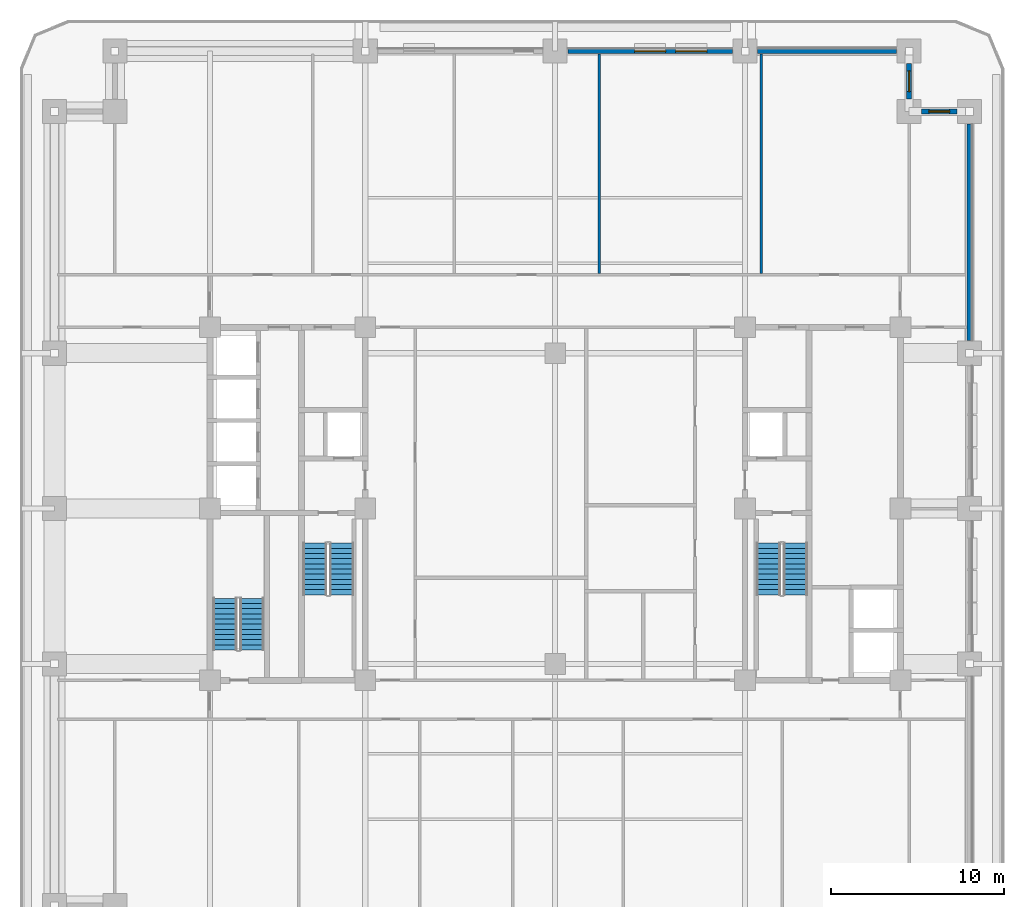
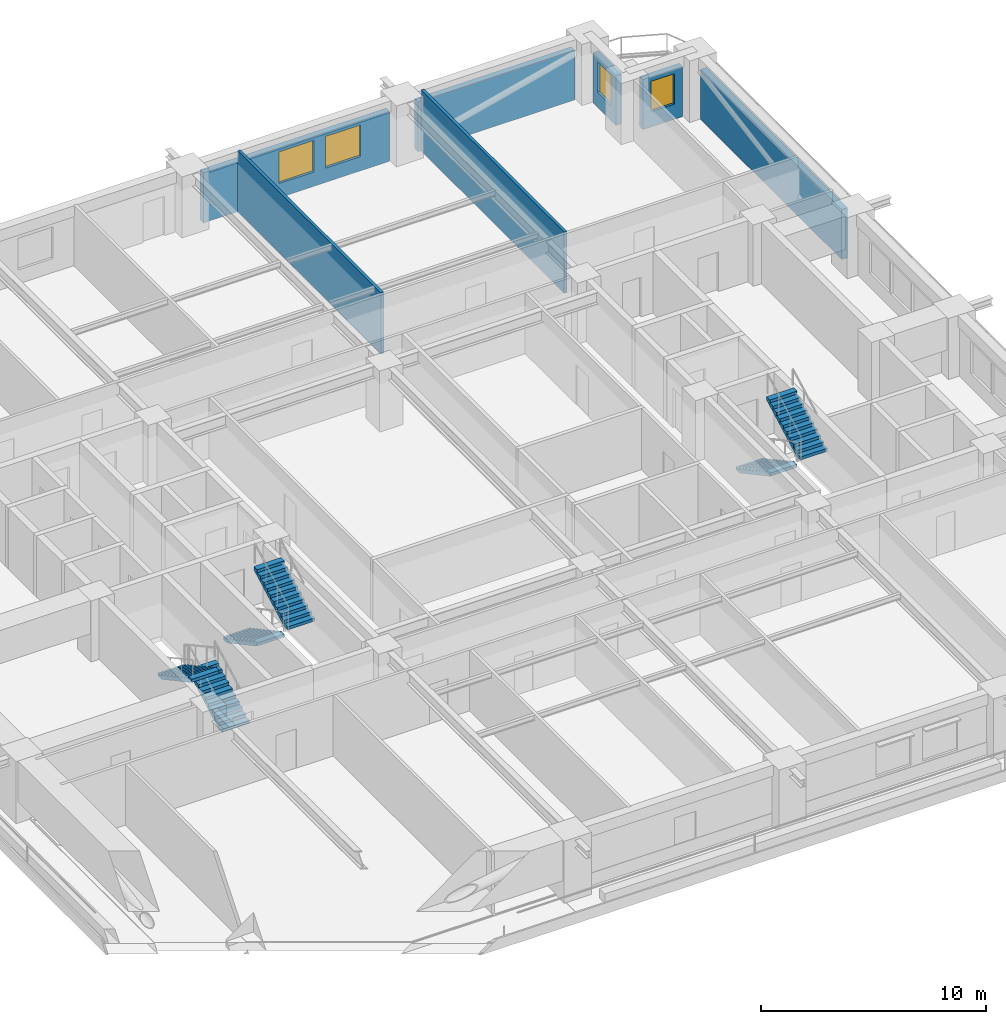
# One storey, part 6 of 14: 7 walls, 6 stair flights, 4 windows, 4 openings, 3 elements without a shape of their own.
"""IFC4 building model written with IfcOpenShell, lengths in metres."""

from ifc_helpers import new_model, si_unit, direction, frame, frame_2d, origin, place, context, subcontext, project, spatial, polyline, rectangle, outline, extrude, material, layer, layer_set, type_object, element, fill, aggregate, save


model = new_model("IFC4")

# Units and contexts
model_context = context("Model", 3, precision=1e-05, world=origin(), true_north=direction((0.0, 1.0)))
body_context = subcontext(model_context, "Body", "Model", "MODEL_VIEW")
ifc_project = project(units=[si_unit("LENGTHUNIT", "METRE"), si_unit("AREAUNIT", "SQUARE_METRE"), si_unit("VOLUMEUNIT", "CUBIC_METRE"), si_unit("PLANEANGLEUNIT", "RADIAN"), si_unit("MASSUNIT", "GRAM", prefix="KILO")], contexts=[model_context])

# Site, building, storey
site_placement = place(None, origin())
site = spatial("IfcSite", under=ifc_project, at=site_placement, CompositionType="ELEMENT")
building_placement = place(site_placement, origin())
building = spatial("IfcBuilding", under=site, at=building_placement, Name="Zulmaris Gate Convention Tower", CompositionType="ELEMENT")
storey_placement = place(building_placement, frame((0.0, 0.0, 60.760009765625)))
storey = spatial("IfcBuildingStorey", under=building, at=storey_placement, Name="L14", CompositionType="ELEMENT", Elevation=60.760009765625)

# Walls
ifc_material_1 = material(Name="Gypsum Metal Stud Partition")
ifc_layer_1 = layer(ifc_material_1, 0.14990234375, Name="Gypsum Metal Stud Partition")
ifc_layer_set_1 = layer_set([ifc_layer_1], Name="Gypsum Metal Stud Partition")
wall_type_1 = type_object("IfcWallType", Name="PART-150", PredefinedType="PARTITIONING", material=ifc_layer_set_1)
for number, where, z_axis, x_axis, name in (
    (1, (2.550048828125, 13.6279296875, 0.0), (0.0, 0.0, 1.0), (0.0, 1.0, 0.0), "WL-L14-083"),
    (2, (11.949951171875, 13.6279296875, 0.0), (0.0, 0.0, 1.0), (0.0, 1.0, 0.0), "WL-L14-089"),
):
    element("IfcWall", number, at=place(storey_placement, frame(where, z_axis=z_axis, x_axis=x_axis)), inside=storey, type_object=wall_type_1, Name=name, PredefinedType="PARTITIONING", context=body_context, shape_type="SweptSolid", body=[
        extrude(rectangle(XDim=12.70703125, YDim=0.14990234375, at=frame_2d((6.353515625, 0.0))), origin(), (0.0, 0.0, 1.0), 3.31982421875),
    ])

# Wall, opening, window
ifc_material_2 = material(Name="Precast concrete C40/50", Category="concrete")
ifc_layer_2 = layer(ifc_material_2, 0.300048828125, Name="Precast concrete C40/50")
ifc_layer_set_2 = layer_set([ifc_layer_2], Name="Precast concrete C40/50")
wall_type_2 = type_object("IfcWallType", Name="PRECAST-PIER-300", PredefinedType="STANDARD", material=ifc_layer_set_2)
wall_1_placement = place(storey_placement, frame((23.27001953125, 23.0, 0.0), z_axis=(0.0, 0.0, 1.0), x_axis=(-1.0, 0.0, 0.0)))
wall_1 = element("IfcWall", 3, at=wall_1_placement, inside=storey, type_object=wall_type_2, Name="EW-L14-NOTCH-NE1_0", PredefinedType="STANDARD", context=body_context, shape_type="SweptSolid", body=[
    extrude(rectangle(XDim=2.0400390625, YDim=0.300048828125, at=frame_2d((1.02001953125, 0.0))), origin(), (0.0, 0.0, 1.0), 2.711669921875),
])
opening_1_placement = place(wall_1_placement, frame((0.419921875, 0.0, 0.820068359375)))
opening_1 = element("IfcOpeningElement", 4, at=opening_1_placement, cuts=wall_1, Name="Opening W-04", PredefinedType="OPENING", context=body_context, shape_type="SweptSolid", body=[
    extrude(rectangle(XDim=1.199951171875, YDim=1.64990234375, at=frame_2d((0.60009765625, 0.824951171875))), frame((0.0, 0.16015625, 0.0), z_axis=(0.0, -1.0, 0.0), x_axis=(1.0, 0.0, 0.0)), (0.0, 0.0, 1.0), 0.320068359375),
])
ifc_material_3 = material(Name="Low-E Laminated Double Glazing in Aluminium Frame", Category="aluminium")
window_type_1 = type_object("IfcWindowType", Name="WIN-1200x2100", PartitioningType="SINGLE_PANEL", PredefinedType="WINDOW", material=ifc_material_3)
window_1_placement = place(opening_1_placement, origin())
window_1 = element("IfcWindow", 5, at=window_1_placement, inside=storey, type_object=window_type_1, Name="WN-EW-L14-NOTCH-NE1_0", OverallHeight=1.64990234375, OverallWidth=1.199951171875, PartitioningType="SINGLE_PANEL", PredefinedType="WINDOW", context=body_context, shape_type="SweptSolid", body=[
    extrude(rectangle(XDim=1.199951171875, YDim=1.64990234375, at=frame_2d((0.60009765625, 0.824951171875))), frame((0.0, 0.030029296875, 0.0), z_axis=(0.0, -1.0, 0.0), x_axis=(1.0, 0.0, 0.0)), (0.0, 0.0, 1.0), 0.06005859375),
])
fill(opening_1, window_1)

wall_2_placement = place(storey_placement, frame((20.5, 23.72998046875, 0.0), z_axis=(0.0, 0.0, 1.0), x_axis=(0.0, 1.0, 0.0)))
wall_2 = element("IfcWall", 6, at=wall_2_placement, inside=storey, type_object=wall_type_2, Name="EW-L14-NOTCH-NE2_0", PredefinedType="STANDARD", context=body_context, shape_type="SweptSolid", body=[
    extrude(rectangle(XDim=2.0400390625, YDim=0.300048828125, at=frame_2d((1.02001953125, 0.0))), origin(), (0.0, 0.0, 1.0), 2.711669921875),
])
opening_2_placement = place(wall_2_placement, frame((0.419921875, 0.0, 0.820068359375)))
opening_2 = element("IfcOpeningElement", 7, at=opening_2_placement, cuts=wall_2, Name="Opening W-04", PredefinedType="OPENING", context=body_context, shape_type="SweptSolid", body=[
    extrude(rectangle(XDim=1.199951171875, YDim=1.64990234375, at=frame_2d((0.60009765625, 0.824951171875))), frame((0.0, 0.16015625, 0.0), z_axis=(0.0, -1.0, 0.0), x_axis=(1.0, 0.0, 0.0)), (0.0, 0.0, 1.0), 0.320068359375),
])
window_2_placement = place(opening_2_placement, origin())
window_2 = element("IfcWindow", 8, at=window_2_placement, inside=storey, type_object=window_type_1, Name="WN-EW-L14-NOTCH-NE2_0", OverallHeight=1.64990234375, OverallWidth=1.199951171875, PartitioningType="SINGLE_PANEL", PredefinedType="WINDOW", context=body_context, shape_type="SweptSolid", body=[
    extrude(rectangle(XDim=1.199951171875, YDim=1.64990234375, at=frame_2d((0.60009765625, 0.824951171875))), frame((0.0, 0.030029296875, 0.0), z_axis=(0.0, -1.0, 0.0), x_axis=(1.0, 0.0, 0.0)), (0.0, 0.0, 1.0), 0.06005859375),
])
fill(opening_2, window_2)

# Wall, openings, windows
wall_3_placement = place(storey_placement, frame((10.27001953125, 26.5, 0.0), z_axis=(0.0, 0.0, 1.0), x_axis=(-1.0, 0.0, 0.0)))
wall_3 = element("IfcWall", 9, at=wall_3_placement, inside=storey, type_object=wall_type_2, Name="EW-L14-N-2_0", PredefinedType="STANDARD", context=body_context, shape_type="SweptSolid", body=[
    extrude(rectangle(XDim=9.5400390625, YDim=0.300048828125, at=frame_2d((4.77001953125, 0.0))), origin(), (0.0, 0.0, 1.0), 2.711669921875),
])
opening_3_placement = place(wall_3_placement, frame((1.485107421875, 0.0, 0.780029296875)))
opening_3 = element("IfcOpeningElement", 10, at=opening_3_placement, cuts=wall_3, Name="Opening W-02", PredefinedType="OPENING", context=body_context, shape_type="SweptSolid", body=[
    extrude(rectangle(XDim=1.800048828125, YDim=1.719970703125, at=frame_2d((0.89990234375, 0.85986328125))), frame((0.0, 0.16015625, 0.0), z_axis=(0.0, -1.0, 0.0), x_axis=(1.0, 0.0, 0.0)), (0.0, 0.0, 1.0), 0.320068359375),
])
opening_4_placement = place(wall_3_placement, frame((3.8701171875, 0.0, 0.780029296875)))
opening_4 = element("IfcOpeningElement", 11, at=opening_4_placement, cuts=wall_3, Name="Opening W-02", PredefinedType="OPENING", context=body_context, shape_type="SweptSolid", body=[
    extrude(rectangle(XDim=1.800048828125, YDim=1.719970703125, at=frame_2d((0.89990234375, 0.85986328125))), frame((0.0, 0.16015625, 0.0), z_axis=(0.0, -1.0, 0.0), x_axis=(1.0, 0.0, 0.0)), (0.0, 0.0, 1.0), 0.320068359375),
])
window_type_2 = type_object("IfcWindowType", Name="WIN-1800x2200", PartitioningType="SINGLE_PANEL", PredefinedType="WINDOW", material=ifc_material_3)
window_3_placement = place(opening_3_placement, origin())
window_3 = element("IfcWindow", 12, at=window_3_placement, inside=storey, type_object=window_type_2, Name="WN-EW-L14-N-2_0-1", OverallHeight=1.719970703125, OverallWidth=1.800048828125, PartitioningType="SINGLE_PANEL", PredefinedType="WINDOW", context=body_context, shape_type="SweptSolid", body=[
    extrude(rectangle(XDim=1.800048828125, YDim=1.719970703125, at=frame_2d((0.89990234375, 0.85986328125))), frame((0.0, 0.030029296875, 0.0), z_axis=(0.0, -1.0, 0.0), x_axis=(1.0, 0.0, 0.0)), (0.0, 0.0, 1.0), 0.06005859375),
])
fill(opening_3, window_3)
window_4_placement = place(opening_4_placement, origin())
window_4 = element("IfcWindow", 13, at=window_4_placement, inside=storey, type_object=window_type_2, Name="WN-EW-L14-N-2_0-2", OverallHeight=1.719970703125, OverallWidth=1.800048828125, PartitioningType="SINGLE_PANEL", PredefinedType="WINDOW", context=body_context, shape_type="SweptSolid", body=[
    extrude(rectangle(XDim=1.800048828125, YDim=1.719970703125, at=frame_2d((0.89990234375, 0.85986328125))), frame((0.0, 0.030029296875, 0.0), z_axis=(0.0, -1.0, 0.0), x_axis=(1.0, 0.0, 0.0)), (0.0, 0.0, 1.0), 0.06005859375),
])
fill(opening_4, window_4)

# Walls
wall_4_placement = place(storey_placement, frame((19.77001953125, 26.5, 0.0), z_axis=(0.0, 0.0, 1.0), x_axis=(-1.0, 0.0, 0.0)))
element("IfcWall", 14, at=wall_4_placement, inside=storey, type_object=wall_type_2, Name="EW-L14-N-3_0", PredefinedType="STANDARD", context=body_context, shape_type="SweptSolid", body=[
    extrude(rectangle(XDim=8.0400390625, YDim=0.300048828125, at=frame_2d((4.02001953125, 0.0))), origin(), (0.0, 0.0, 1.0), 2.711669921875),
])
wall_5_placement = place(storey_placement, frame((24.0, 9.72998046875, 0.0), z_axis=(0.0, 0.0, 1.0), x_axis=(0.0, 1.0, 0.0)))
element("IfcWall", 15, at=wall_5_placement, inside=storey, type_object=wall_type_2, Name="EW-L14-E-3_0", PredefinedType="STANDARD", context=body_context, shape_type="SweptSolid", body=[
    extrude(rectangle(XDim=12.5400390625, YDim=0.300048828125, at=frame_2d((6.27001953125, 0.0))), origin(), (0.0, 0.0, 1.0), 2.711669921875),
])

# Stair, stair flights
ifc_material_4 = material(Name="Concrete C45/55", Category="concrete")
stair_type = type_object("IfcStairType", Name="ST-CORE-DOGLEG", PredefinedType="HALF_TURN_STAIR", material=ifc_material_4)
stair_1_placement = place(storey_placement, origin())
stair_1 = element("IfcStair", 16, at=stair_1_placement, inside=storey, type_object=stair_type, Name="L14 Core Exit Stair ST-1", PredefinedType="HALF_TURN_STAIR")
ifc_layer_3 = layer(ifc_material_4, 0.14990234375, Name="Concrete C45/55")
ifc_layer_set_3 = layer_set([ifc_layer_3], Name="Concrete C45/55")
stair_flight_type = type_object("IfcStairFlightType", Name="STF-RC150", PredefinedType="STRAIGHT", material=ifc_layer_set_3)
stair_flight_1_placement = place(storey_placement, frame((-13.919921875, -2.0, 0.0), z_axis=(0.0, 0.0, 1.0), x_axis=(0.0, -1.0, 0.0)))
stair_flight_1 = element("IfcStairFlight", 17, at=stair_flight_1_placement, type_object=stair_flight_type, Name="ST-1 flight 1", NumberOfRisers=11, NumberOfTreads=10, PredefinedType="STRAIGHT", RiserHeight=0.162263636, TreadLength=0.3, context=body_context, shape_type="SweptSolid", body=[
    extrude(outline(polyline([(0.0, 0.0), (0.0, 0.162353515625), (0.300048828125, 0.162353515625), (0.300048828125, 0.324462890625), (0.60009765625, 0.324462890625), (0.60009765625, 0.48681640625), (0.89990234375, 0.48681640625), (0.89990234375, 0.649169921875), (1.199951171875, 0.649169921875), (1.199951171875, 0.811279296875), (1.5, 0.811279296875), (1.5, 0.9736328125), (1.800048828125, 0.9736328125), (1.800048828125, 1.1357421875), (2.10009765625, 1.1357421875), (2.10009765625, 1.298095703125), (2.39990234375, 1.298095703125), (2.39990234375, 1.46044921875), (2.699951171875, 1.46044921875), (2.699951171875, 1.62255859375), (3.0, 1.62255859375), (3.0, 1.784912109375), (3.0, 1.4521484375), (0.315185546875, 0.0), (0.0, 0.0)])), frame((0.0, 0.699951171875, 0.0), z_axis=(0.0, -1.0, 0.0), x_axis=(1.0, 0.0, 0.0)), (0.0, 0.0, 1.0), 1.39990234375),
])
stair_flight_2_placement = place(storey_placement, frame((-12.360107421875, -5.0, 1.784912109375), z_axis=(0.0, 0.0, 1.0), x_axis=(0.0, 1.0, 0.0)))
stair_flight_2 = element("IfcStairFlight", 18, at=stair_flight_2_placement, type_object=stair_flight_type, Name="ST-1 flight 2", NumberOfRisers=11, NumberOfTreads=10, PredefinedType="STRAIGHT", RiserHeight=0.162263636, TreadLength=0.3, context=body_context, shape_type="SweptSolid", body=[
    extrude(outline(polyline([(0.0, 0.0), (0.0, 0.162353515625), (0.300048828125, 0.162353515625), (0.300048828125, 0.324462890625), (0.60009765625, 0.324462890625), (0.60009765625, 0.48681640625), (0.89990234375, 0.48681640625), (0.89990234375, 0.649169921875), (1.199951171875, 0.649169921875), (1.199951171875, 0.811279296875), (1.5, 0.811279296875), (1.5, 0.9736328125), (1.800048828125, 0.9736328125), (1.800048828125, 1.1357421875), (2.10009765625, 1.1357421875), (2.10009765625, 1.298095703125), (2.39990234375, 1.298095703125), (2.39990234375, 1.46044921875), (2.699951171875, 1.46044921875), (2.699951171875, 1.62255859375), (3.0, 1.62255859375), (3.0, 1.784912109375), (3.0, 1.4521484375), (0.315185546875, 0.0), (0.0, 0.0)])), frame((0.0, 0.699951171875, 0.0), z_axis=(0.0, -1.0, 0.0), x_axis=(1.0, 0.0, 0.0)), (0.0, 0.0, 1.0), 1.39990234375),
])
aggregate(stair_1, [stair_flight_1, stair_flight_2])

stair_2_placement = place(storey_placement, origin())
stair_2 = element("IfcStair", 19, at=stair_2_placement, inside=storey, type_object=stair_type, Name="L14 Core Exit Stair ST-2", PredefinedType="HALF_TURN_STAIR")
stair_flight_3_placement = place(storey_placement, frame((12.360107421875, -2.0, 0.0), z_axis=(0.0, 0.0, 1.0), x_axis=(0.0, -1.0, 0.0)))
stair_flight_3 = element("IfcStairFlight", 20, at=stair_flight_3_placement, type_object=stair_flight_type, Name="ST-2 flight 1", NumberOfRisers=11, NumberOfTreads=10, PredefinedType="STRAIGHT", RiserHeight=0.162263636, TreadLength=0.3, context=body_context, shape_type="SweptSolid", body=[
    extrude(outline(polyline([(0.0, 0.0), (0.0, 0.162353515625), (0.300048828125, 0.162353515625), (0.300048828125, 0.324462890625), (0.60009765625, 0.324462890625), (0.60009765625, 0.48681640625), (0.89990234375, 0.48681640625), (0.89990234375, 0.649169921875), (1.199951171875, 0.649169921875), (1.199951171875, 0.811279296875), (1.5, 0.811279296875), (1.5, 0.9736328125), (1.800048828125, 0.9736328125), (1.800048828125, 1.1357421875), (2.10009765625, 1.1357421875), (2.10009765625, 1.298095703125), (2.39990234375, 1.298095703125), (2.39990234375, 1.46044921875), (2.699951171875, 1.46044921875), (2.699951171875, 1.62255859375), (3.0, 1.62255859375), (3.0, 1.784912109375), (3.0, 1.4521484375), (0.315185546875, 0.0), (0.0, 0.0)])), frame((0.0, 0.699951171875, 0.0), z_axis=(0.0, -1.0, 0.0), x_axis=(1.0, 0.0, 0.0)), (0.0, 0.0, 1.0), 1.39990234375),
])
stair_flight_4_placement = place(storey_placement, frame((13.919921875, -5.0, 1.784912109375), z_axis=(0.0, 0.0, 1.0), x_axis=(0.0, 1.0, 0.0)))
stair_flight_4 = element("IfcStairFlight", 21, at=stair_flight_4_placement, type_object=stair_flight_type, Name="ST-2 flight 2", NumberOfRisers=11, NumberOfTreads=10, PredefinedType="STRAIGHT", RiserHeight=0.162263636, TreadLength=0.3, context=body_context, shape_type="SweptSolid", body=[
    extrude(outline(polyline([(0.0, 0.0), (0.0, 0.162353515625), (0.300048828125, 0.162353515625), (0.300048828125, 0.324462890625), (0.60009765625, 0.324462890625), (0.60009765625, 0.48681640625), (0.89990234375, 0.48681640625), (0.89990234375, 0.649169921875), (1.199951171875, 0.649169921875), (1.199951171875, 0.811279296875), (1.5, 0.811279296875), (1.5, 0.9736328125), (1.800048828125, 0.9736328125), (1.800048828125, 1.1357421875), (2.10009765625, 1.1357421875), (2.10009765625, 1.298095703125), (2.39990234375, 1.298095703125), (2.39990234375, 1.46044921875), (2.699951171875, 1.46044921875), (2.699951171875, 1.62255859375), (3.0, 1.62255859375), (3.0, 1.784912109375), (3.0, 1.4521484375), (0.315185546875, 0.0), (0.0, 0.0)])), frame((0.0, 0.699951171875, 0.0), z_axis=(0.0, -1.0, 0.0), x_axis=(1.0, 0.0, 0.0)), (0.0, 0.0, 1.0), 1.39990234375),
])
aggregate(stair_2, [stair_flight_3, stair_flight_4])

stair_3_placement = place(storey_placement, origin())
stair_3 = element("IfcStair", 22, at=stair_3_placement, inside=storey, type_object=stair_type, Name="L14 Core Exit Stair ST-3", PredefinedType="HALF_TURN_STAIR")
stair_flight_5_placement = place(storey_placement, frame((-17.56005859375, -8.199951171875, 0.0), z_axis=(0.0, 0.0, 1.0), x_axis=(0.0, 1.0, 0.0)))
stair_flight_5 = element("IfcStairFlight", 23, at=stair_flight_5_placement, type_object=stair_flight_type, Name="ST-3 flight 1", NumberOfRisers=11, NumberOfTreads=10, PredefinedType="STRAIGHT", RiserHeight=0.162263636, TreadLength=0.3, context=body_context, shape_type="SweptSolid", body=[
    extrude(outline(polyline([(0.0, 0.0), (0.0, 0.162353515625), (0.300048828125, 0.162353515625), (0.300048828125, 0.324462890625), (0.60009765625, 0.324462890625), (0.60009765625, 0.48681640625), (0.89990234375, 0.48681640625), (0.89990234375, 0.649169921875), (1.199951171875, 0.649169921875), (1.199951171875, 0.811279296875), (1.5, 0.811279296875), (1.5, 0.9736328125), (1.800048828125, 0.9736328125), (1.800048828125, 1.1357421875), (2.10009765625, 1.1357421875), (2.10009765625, 1.298095703125), (2.39990234375, 1.298095703125), (2.39990234375, 1.46044921875), (2.699951171875, 1.46044921875), (2.699951171875, 1.62255859375), (3.0, 1.62255859375), (3.0, 1.784912109375), (3.0, 1.4521484375), (0.315185546875, 0.0), (0.0, 0.0)])), frame((0.0, 0.699951171875, 0.0), z_axis=(0.0, -1.0, 0.0), x_axis=(1.0, 0.0, 0.0)), (0.0, 0.0, 1.0), 1.39990234375),
])
stair_flight_6_placement = place(storey_placement, frame((-19.1201171875, -5.199951171875, 1.784912109375), z_axis=(0.0, 0.0, 1.0), x_axis=(0.0, -1.0, 0.0)))
stair_flight_6 = element("IfcStairFlight", 24, at=stair_flight_6_placement, type_object=stair_flight_type, Name="ST-3 flight 2", NumberOfRisers=11, NumberOfTreads=10, PredefinedType="STRAIGHT", RiserHeight=0.162263636, TreadLength=0.3, context=body_context, shape_type="SweptSolid", body=[
    extrude(outline(polyline([(0.0, 0.0), (0.0, 0.162353515625), (0.300048828125, 0.162353515625), (0.300048828125, 0.324462890625), (0.60009765625, 0.324462890625), (0.60009765625, 0.48681640625), (0.89990234375, 0.48681640625), (0.89990234375, 0.649169921875), (1.199951171875, 0.649169921875), (1.199951171875, 0.811279296875), (1.5, 0.811279296875), (1.5, 0.9736328125), (1.800048828125, 0.9736328125), (1.800048828125, 1.1357421875), (2.10009765625, 1.1357421875), (2.10009765625, 1.298095703125), (2.39990234375, 1.298095703125), (2.39990234375, 1.46044921875), (2.699951171875, 1.46044921875), (2.699951171875, 1.62255859375), (3.0, 1.62255859375), (3.0, 1.784912109375), (3.0, 1.4521484375), (0.315185546875, 0.0), (0.0, 0.0)])), frame((0.0, 0.699951171875, 0.0), z_axis=(0.0, -1.0, 0.0), x_axis=(1.0, 0.0, 0.0)), (0.0, 0.0, 1.0), 1.39990234375),
])
aggregate(stair_3, [stair_flight_5, stair_flight_6])

save(model, "model.ifc")
